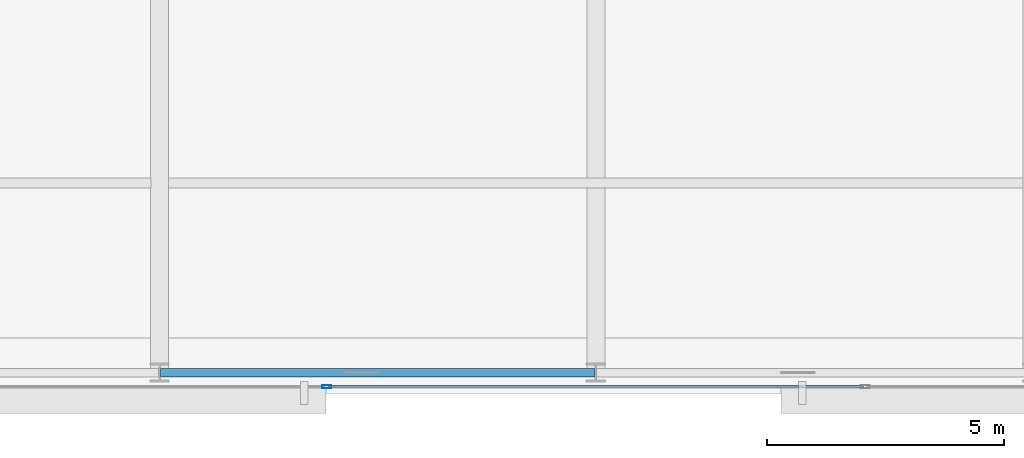
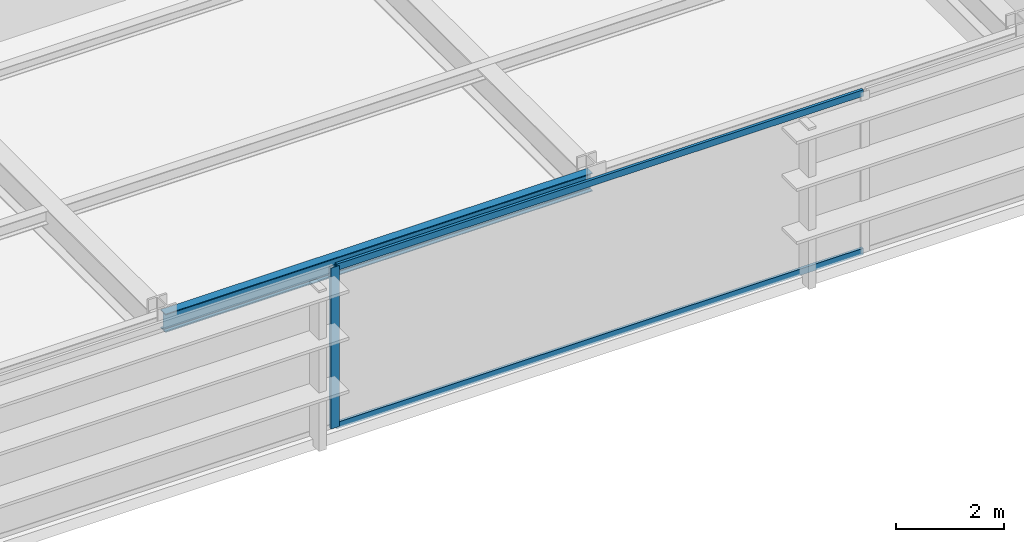
# One storey, part 6 of 32: 3 members, 1 beam, 1 element without a shape of its own.
"""IFC4 building model written with IfcOpenShell, lengths in metres."""

from ifc_helpers import new_model, si_unit, direction, frame, origin, origin_2d, place, context, subcontext, project, spatial, hollow_rectangle, i_section, extrude, source, transform, mapped, material, layer, layer_set, material_profile, profile_set, type_object, type_shapes, element, aggregate, save


model = new_model("IFC4")

# Units and contexts
model_context = context("Model", 3, precision=1e-05, world=origin(), true_north=direction((0.0, 1.0)))
body_context = subcontext(model_context, "Body", "Model", "MODEL_VIEW")
ifc_project = project(units=[si_unit("LENGTHUNIT", "METRE"), si_unit("AREAUNIT", "SQUARE_METRE"), si_unit("VOLUMEUNIT", "CUBIC_METRE"), si_unit("PLANEANGLEUNIT", "RADIAN"), si_unit("MASSUNIT", "GRAM", prefix="KILO")], contexts=[model_context])

# Site, building, storey
site_placement = place(None, origin())
site = spatial("IfcSite", under=ifc_project, at=site_placement, CompositionType="ELEMENT")
building_placement = place(site_placement, origin())
building = spatial("IfcBuilding", under=site, at=building_placement, Name="Varnel Quay Broadcast Tower", CompositionType="ELEMENT")
storey_placement = place(building_placement, frame((0.0, 0.0, 70.5)))
storey = spatial("IfcBuildingStorey", under=building, at=storey_placement, Name="L16", CompositionType="ELEMENT", Elevation=70.5)

# Beam
ifc_material_1 = material(Name="Structural Steel CSA G40.21 350W", Category="steel")
ifc_material_profile_1 = material_profile(ifc_material_1, i_section(OverallWidth=0.180908203125, OverallDepth=0.4169921875, WebThickness=0.010986328125, FlangeThickness=0.018310546875, FilletRadius=0.011962890625, at=origin_2d()), Name="W410X85")
ifc_profile_set_1 = profile_set([ifc_material_profile_1], Name="Structural Steel CSA G40.21 350W")
beam_type = type_object("IfcBeamType", Name="Beam_W410X85", PredefinedType="SPANDREL", material=ifc_profile_set_1)
shared_shape_1 = source(origin(), body_context, "Body", "SweptSolid", [
    extrude(i_section(OverallWidth=0.180908203125, OverallDepth=0.4169921875, WebThickness=0.010986328125, FlangeThickness=0.018310546875, FilletRadius=0.011962890625, at=origin_2d()), origin(), (0.0, 0.0, 1.0), 9.159912109375),
])
type_shapes(beam_type, [shared_shape_1])
beam_placement = place(storey_placement, frame((24.820068359375, 1.64990234375, 3.44140625), z_axis=(1.0, 0.0, 0.0), x_axis=(0.0, 1.0, 0.0)))
element("IfcBeam", 1, at=beam_placement, inside=storey, type_object=beam_type, Name="L16 South Spandrel TC-S2-TC-S3", PredefinedType="SPANDREL", context=body_context, shape_type="MappedRepresentation", body=[
    mapped(shared_shape_1, transform((0.0, 0.0, 0.0), x_axis=(1.0, 0.0, 0.0), y_axis=(0.0, 1.0, 0.0), z_axis=(0.0, 0.0, 1.0), scale=1.0)),
])

# Curtain wall, members
ifc_material_2 = material(Name="Anodised Bronze Aluminium 6063-T6", Category="aluminium")
ifc_layer = layer(ifc_material_2, 0.18994140625, Name="Anodised Bronze Aluminium 6063-T6")
ifc_layer_set = layer_set([ifc_layer], Name="Anodised Bronze Aluminium 6063-T6")
curtain_wall_type = type_object("IfcCurtainWallType", Name="CW_LowerTower", PredefinedType="NOTDEFINED", material=ifc_layer_set)
curtain_wall_placement = place(storey_placement, origin())
curtain_wall = element("IfcCurtainWall", 2, at=curtain_wall_placement, inside=storey, type_object=curtain_wall_type, Name="L16 South Unitised Curtain Wall 1", PredefinedType="NOTDEFINED")
ifc_material_profile_2 = material_profile(ifc_material_2, hollow_rectangle(XDim=0.070068359375, YDim=0.18994140625, WallThickness=0.00390625, at=origin_2d()), Name="ALU70X190X4")
ifc_profile_set_2 = profile_set([ifc_material_profile_2], Name="Anodised Bronze Aluminium 6063-T6")
member_type_1 = type_object("IfcMemberType", Name="Mull_CWS-02", PredefinedType="MULLION", material=ifc_profile_set_2)
shared_shape_2 = source(origin(), body_context, "Body", "SweptSolid", [
    extrude(hollow_rectangle(XDim=0.070068359375, YDim=0.18994140625, WallThickness=0.00390625, at=origin_2d()), origin(), (0.0, 0.0, 1.0), 3.64990234375),
])
type_shapes(member_type_1, [shared_shape_2])
member_1_placement = place(storey_placement, frame((28.320068359375, 1.35009765625, 0.0), z_axis=(0.0, 0.0, 1.0), x_axis=(0.0, 1.0, 0.0)))
member_1 = element("IfcMember", 3, at=member_1_placement, type_object=member_type_1, Name="CWS-02 mullion 3", PredefinedType="MULLION", context=body_context, shape_type="MappedRepresentation", body=[
    mapped(shared_shape_2, transform((0.0, 0.0, 0.0), x_axis=(1.0, 0.0, 0.0), y_axis=(0.0, 1.0, 0.0), z_axis=(0.0, 0.0, 1.0), scale=1.0)),
])
ifc_material_profile_3 = material_profile(ifc_material_2, hollow_rectangle(XDim=0.06005859375, YDim=0.14501953125, WallThickness=0.00341796875, at=origin_2d()), Name="ALU60X145X3.5")
ifc_profile_set_3 = profile_set([ifc_material_profile_3], Name="Anodised Bronze Aluminium 6063-T6")
member_type_2 = type_object("IfcMemberType", Name="Tran_CWS-02", PredefinedType="USERDEFINED", material=ifc_profile_set_3)
shared_shape_3 = source(origin(), body_context, "Body", "SweptSolid", [
    extrude(hollow_rectangle(XDim=0.06005859375, YDim=0.14501953125, WallThickness=0.00341796875, at=origin_2d()), origin(), (0.0, 0.0, 1.0), 11.2900390625),
])
type_shapes(member_type_2, [shared_shape_3])
member_2_placement = place(storey_placement, frame((28.35498046875, 1.35009765625, 0.030029296875), z_axis=(1.0, 0.0, 0.0), x_axis=(0.0, 1.0, 0.0)))
member_2 = element("IfcMember", 4, at=member_2_placement, type_object=member_type_2, Name="CWS-02 transom 3.1", ObjectType="TRANSOM", PredefinedType="USERDEFINED", context=body_context, shape_type="MappedRepresentation", body=[
    mapped(shared_shape_3, transform((0.0, 0.0, 0.0), x_axis=(1.0, 0.0, 0.0), y_axis=(0.0, 1.0, 0.0), z_axis=(0.0, 0.0, 1.0), scale=1.0)),
])
member_3_placement = place(storey_placement, frame((28.35498046875, 1.35009765625, 3.6201171875), z_axis=(1.0, 0.0, 0.0), x_axis=(0.0, 1.0, 0.0)))
member_3 = element("IfcMember", 5, at=member_3_placement, type_object=member_type_2, Name="CWS-02 transom 3.2", ObjectType="TRANSOM", PredefinedType="USERDEFINED", context=body_context, shape_type="MappedRepresentation", body=[
    mapped(shared_shape_3, transform((0.0, 0.0, 0.0), x_axis=(1.0, 0.0, 0.0), y_axis=(0.0, 1.0, 0.0), z_axis=(0.0, 0.0, 1.0), scale=1.0)),
])
aggregate(curtain_wall, [member_1, member_2, member_3])

save(model, "model.ifc")
